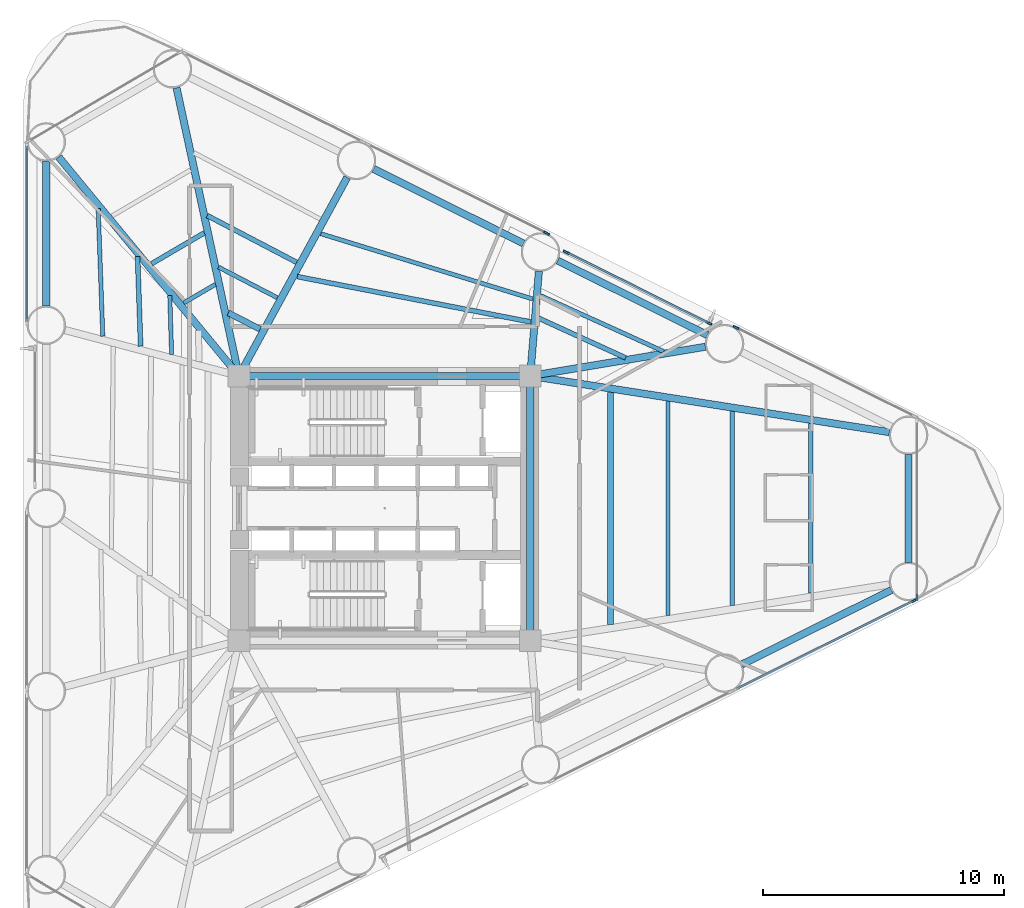
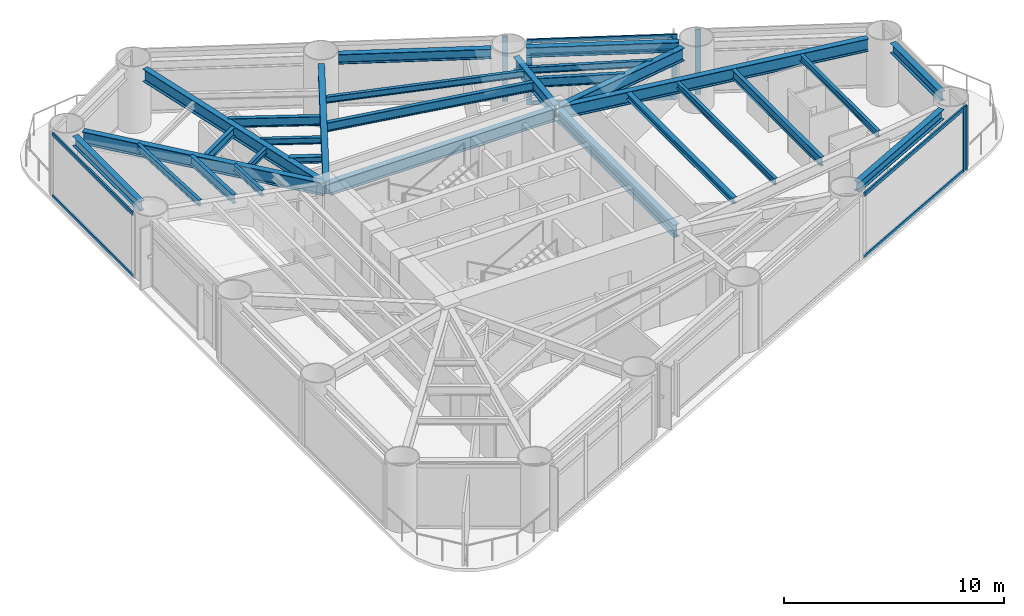
# One storey, part 3 of 10: 29 beams, 13 members, 6 elements without a shape of their own.
"""IFC4 building model written with IfcOpenShell, lengths in metres."""

from ifc_helpers import new_model, si_unit, direction, frame, origin, origin_2d, place, context, subcontext, project, spatial, rectangle, i_section, extrude, source, transform, mapped, material, layer, layer_set, material_profile, profile_set, type_object, element, aggregate, save


model = new_model("IFC4")

# Units and contexts
model_context = context("Model", 3, precision=1e-05, world=origin(), true_north=direction((0.0, 1.0)))
body_context = subcontext(model_context, "Body", "Model", "MODEL_VIEW")
ifc_project = project(units=[si_unit("LENGTHUNIT", "METRE"), si_unit("AREAUNIT", "SQUARE_METRE"), si_unit("VOLUMEUNIT", "CUBIC_METRE"), si_unit("PLANEANGLEUNIT", "RADIAN"), si_unit("MASSUNIT", "GRAM", prefix="KILO")], contexts=[model_context])

# Site, building, storey
site_placement = place(None, origin())
site = spatial("IfcSite", under=ifc_project, at=site_placement, CompositionType="ELEMENT")
building_placement = place(site_placement, origin())
building = spatial("IfcBuilding", under=site, at=building_placement, Name="Yunling Apex Tower", CompositionType="ELEMENT")
storey_placement = place(building_placement, frame((0.0, 0.0, 31.199951171875)))
storey = spatial("IfcBuildingStorey", under=building, at=storey_placement, Name="L09", CompositionType="ELEMENT", Elevation=31.199951171875)

# Beams
ifc_material_1 = material(Name="Steel Q355B", Category="steel")
ifc_material_profile_1 = material_profile(ifc_material_1, i_section(OverallWidth=0.300048828125, OverallDepth=0.699951171875, WebThickness=0.012939453125, FlangeThickness=0.02392578125, FilletRadius=0.02587890625, at=origin_2d()))
ifc_profile_set_1 = profile_set([ifc_material_profile_1], Name="Steel Q355B")
beam_type_1 = type_object("IfcBeamType", Name="BG-PRI-3", PredefinedType="USERDEFINED", material=ifc_profile_set_1)
shared_shape_1 = source(origin(), body_context, "Body", "SweptSolid", [
    extrude(i_section(OverallWidth=0.300048828125, OverallDepth=0.699951171875, WebThickness=0.012939453125, FlangeThickness=0.02392578125, FilletRadius=0.02587890625, at=origin_2d()), origin(), (0.0, 0.0, 1.0), 11.7998046875),
])
beam_1_placement = place(storey_placement, frame((5.89990234375, 5.5, 3.1650390625), z_axis=(-1.0, 0.0, 0.0), x_axis=(0.0, -1.0, 0.0)))
element("IfcBeam", 1, at=beam_1_placement, inside=storey, type_object=beam_type_1, Name="L09 Core Ring Tie Beam 3", ObjectType="GIRDER", PredefinedType="USERDEFINED", context=body_context, shape_type="MappedRepresentation", body=[
    mapped(shared_shape_1, transform((0.0, 0.0, 0.0), scale=1.0)),
])
shared_shape_2 = source(origin(), body_context, "Body", "SweptSolid", [
    extrude(i_section(OverallWidth=0.300048828125, OverallDepth=0.699951171875, WebThickness=0.012939453125, FlangeThickness=0.02392578125, FilletRadius=0.02587890625, at=origin_2d()), origin(), (0.0, 0.0, 1.0), 10.7001953125),
])
beam_2_placement = place(storey_placement, frame((6.050048828125, -5.35009765625, 3.1650390625), z_axis=(0.0, 1.0, 0.0), x_axis=(-1.0, 0.0, 0.0)))
element("IfcBeam", 2, at=beam_2_placement, inside=storey, type_object=beam_type_1, Name="L09 Core Ring Tie Beam 2", ObjectType="GIRDER", PredefinedType="USERDEFINED", context=body_context, shape_type="MappedRepresentation", body=[
    mapped(shared_shape_2, transform((0.0, 0.0, 0.0), scale=1.0)),
])
ifc_material_profile_2 = material_profile(ifc_material_1, i_section(OverallWidth=0.300048828125, OverallDepth=0.5400390625, WebThickness=0.011962890625, FlangeThickness=0.02001953125, FilletRadius=0.02392578125, at=origin_2d()))
ifc_profile_set_2 = profile_set([ifc_material_profile_2], Name="Steel Q355B")
beam_type_2 = type_object("IfcBeamType", Name="BP-SPN-1", PredefinedType="SPANDREL", material=ifc_profile_set_2)
shared_shape_3 = source(origin(), body_context, "Body", "SweptSolid", [
    extrude(i_section(OverallWidth=0.300048828125, OverallDepth=0.5400390625, WebThickness=0.011962890625, FlangeThickness=0.02001953125, FilletRadius=0.02392578125, at=origin_2d()), origin(), (0.0, 0.0, 1.0), 6.950927734375),
])
for number, where, z_axis, x_axis, name in (
    (3, (14.83251953125, -6.48974609375, 3.2451171875), (0.895247556401, 0.445569088646, 0.0), (-0.445569088646, 0.895247556401, 0.0), "L09 Perimeter Spandrel Beam 4"),
    (4, (5.7666015625, 11.002197265625, 3.2451171875), (-0.895247556401, 0.445569088646, 0.0), (-0.445569088646, -0.895247556401, 0.0), "L09 Perimeter Spandrel Beam 8"),
):
    element("IfcBeam", number, at=place(storey_placement, frame(where, z_axis=z_axis, x_axis=x_axis)), inside=storey, type_object=beam_type_2, Name=name, PredefinedType="SPANDREL", context=body_context, shape_type="MappedRepresentation", body=[
        mapped(shared_shape_3, transform((0.0, 0.0, 0.0), scale=1.0)),
    ])
shared_shape_4 = source(origin(), body_context, "Body", "SweptSolid", [
    extrude(i_section(OverallWidth=0.300048828125, OverallDepth=0.5400390625, WebThickness=0.011962890625, FlangeThickness=0.02001953125, FilletRadius=0.02392578125, at=origin_2d()), origin(), (0.0, 0.0, 1.0), 6.95068359375),
])
beam_3_placement = place(storey_placement, frame((13.410888671875, 7.197509765625, 3.2451171875), z_axis=(-0.895254593944, 0.445554948375, 0.0), x_axis=(-0.445554948375, -0.895254593944, 0.0)))
element("IfcBeam", 5, at=beam_3_placement, inside=storey, type_object=beam_type_2, Name="L09 Perimeter Spandrel Beam 7", PredefinedType="SPANDREL", context=body_context, shape_type="MappedRepresentation", body=[
    mapped(shared_shape_4, transform((0.0, 0.0, 0.0), scale=1.0)),
])
shared_shape_5 = source(origin(), body_context, "Body", "SweptSolid", [
    extrude(i_section(OverallWidth=0.300048828125, OverallDepth=0.5400390625, WebThickness=0.011962890625, FlangeThickness=0.02001953125, FilletRadius=0.02392578125, at=origin_2d()), origin(), (0.0, 0.0, 1.0), 4.48974609375),
])
beam_4_placement = place(storey_placement, frame((21.76611328125, -2.244873046875, 3.2451171875), z_axis=(0.0, 1.0, 0.0), x_axis=(-1.0, 0.0, 0.0)))
element("IfcBeam", 6, at=beam_4_placement, inside=storey, type_object=beam_type_2, Name="L09 Perimeter Spandrel Beam 5", PredefinedType="SPANDREL", context=body_context, shape_type="MappedRepresentation", body=[
    mapped(shared_shape_5, transform((0.0, 0.0, 0.0), scale=1.0)),
])
shared_shape_6 = source(origin(), body_context, "Body", "SweptSolid", [
    extrude(i_section(OverallWidth=0.300048828125, OverallDepth=0.5400390625, WebThickness=0.011962890625, FlangeThickness=0.02001953125, FilletRadius=0.02392578125, at=origin_2d()), origin(), (0.0, 0.0, 1.0), 6.021240234375),
])
beam_5_placement = place(storey_placement, frame((-14.052001953125, 14.4248046875, 3.2451171875), z_axis=(0.0, -1.0, 0.0), x_axis=(1.0, 0.0, 0.0)))
element("IfcBeam", 7, at=beam_5_placement, inside=storey, type_object=beam_type_2, Name="L09 Perimeter Spandrel Beam 11", PredefinedType="SPANDREL", context=body_context, shape_type="MappedRepresentation", body=[
    mapped(shared_shape_6, transform((0.0, 0.0, 0.0), scale=1.0)),
])
shared_shape_7 = source(origin(), body_context, "Body", "SweptSolid", [
    extrude(i_section(OverallWidth=0.300048828125, OverallDepth=0.699951171875, WebThickness=0.012939453125, FlangeThickness=0.02392578125, FilletRadius=0.02587890625, at=origin_2d()), origin(), (0.0, 0.0, 1.0), 12.165283203125),
])
beam_6_placement = place(storey_placement, frame((-8.640625, 17.468017578125, 3.1650390625), z_axis=(0.2115638914, -0.977364169517, 0.0), x_axis=(0.977364169517, 0.2115638914, 0.0)))
element("IfcBeam", 8, at=beam_6_placement, inside=storey, type_object=beam_type_1, Name="L09 Radial Primary Girder R10", ObjectType="GIRDER", PredefinedType="USERDEFINED", context=body_context, shape_type="MappedRepresentation", body=[
    mapped(shared_shape_7, transform((0.0, 0.0, 0.0), scale=1.0)),
])
shared_shape_8 = source(origin(), body_context, "Body", "SweptSolid", [
    extrude(i_section(OverallWidth=0.300048828125, OverallDepth=0.699951171875, WebThickness=0.012939453125, FlangeThickness=0.02392578125, FilletRadius=0.02587890625, at=origin_2d()), origin(), (0.0, 0.0, 1.0), 9.31005859375),
])
beam_7_placement = place(storey_placement, frame((-1.553955078125, 13.74365234375, 3.1650390625), z_axis=(-0.478817221141, -0.877914613581, 0.0), x_axis=(0.877914613581, -0.478817221141, 0.0)))
element("IfcBeam", 9, at=beam_7_placement, inside=storey, type_object=beam_type_1, Name="L09 Radial Primary Girder R09", ObjectType="GIRDER", PredefinedType="USERDEFINED", context=body_context, shape_type="MappedRepresentation", body=[
    mapped(shared_shape_8, transform((0.0, 0.0, 0.0), scale=1.0)),
])
shared_shape_9 = source(origin(), body_context, "Body", "SweptSolid", [
    extrude(i_section(OverallWidth=0.300048828125, OverallDepth=0.699951171875, WebThickness=0.012939453125, FlangeThickness=0.02392578125, FilletRadius=0.02587890625, at=origin_2d()), origin(), (0.0, 0.0, 1.0), 4.278076171875),
])
beam_8_placement = place(storey_placement, frame((6.41064453125, 9.843017578125, 3.1650390625), z_axis=(-0.082747937789, -0.996570508691, 0.0), x_axis=(0.996570508691, -0.082747937789, 0.0)))
element("IfcBeam", 10, at=beam_8_placement, inside=storey, type_object=beam_type_1, Name="L09 Radial Primary Girder R08", ObjectType="GIRDER", PredefinedType="USERDEFINED", context=body_context, shape_type="MappedRepresentation", body=[
    mapped(shared_shape_9, transform((0.0, 0.0, 0.0), scale=1.0)),
])
shared_shape_10 = source(origin(), body_context, "Body", "SweptSolid", [
    extrude(i_section(OverallWidth=0.300048828125, OverallDepth=0.699951171875, WebThickness=0.012939453125, FlangeThickness=0.02392578125, FilletRadius=0.02587890625, at=origin_2d()), origin(), (0.0, 0.0, 1.0), 7.294921875),
])
beam_9_placement = place(storey_placement, frame((13.32470703125, 6.7109375, 3.1650390625), z_axis=(-0.98642827455, -0.164192750049, 0.0), x_axis=(0.164192750049, -0.98642827455, 0.0)))
element("IfcBeam", 11, at=beam_9_placement, inside=storey, type_object=beam_type_1, Name="L09 Radial Primary Girder R07", ObjectType="GIRDER", PredefinedType="USERDEFINED", context=body_context, shape_type="MappedRepresentation", body=[
    mapped(shared_shape_10, transform((0.0, 0.0, 0.0), scale=1.0)),
])
shared_shape_11 = source(origin(), body_context, "Body", "SweptSolid", [
    extrude(i_section(OverallWidth=0.300048828125, OverallDepth=0.699951171875, WebThickness=0.012939453125, FlangeThickness=0.02392578125, FilletRadius=0.02587890625, at=origin_2d()), origin(), (0.0, 0.0, 1.0), 15.02001953125),
])
beam_10_placement = place(storey_placement, frame((20.968017578125, 3.163818359375, 3.1650390625), z_axis=(-0.987959991473, 0.154709583568, 0.0), x_axis=(-0.154709583568, -0.987959991473, 0.0)))
element("IfcBeam", 12, at=beam_10_placement, inside=storey, type_object=beam_type_1, Name="L09 Radial Primary Girder R06", ObjectType="GIRDER", PredefinedType="USERDEFINED", context=body_context, shape_type="MappedRepresentation", body=[
    mapped(shared_shape_11, transform((0.0, 0.0, 0.0), scale=1.0)),
])
shared_shape_12 = source(origin(), body_context, "Body", "SweptSolid", [
    extrude(i_section(OverallWidth=0.300048828125, OverallDepth=0.699951171875, WebThickness=0.012939453125, FlangeThickness=0.02392578125, FilletRadius=0.02587890625, at=origin_2d()), origin(), (0.0, 0.0, 1.0), 11.701171875),
])
beam_11_placement = place(storey_placement, frame((-13.538330078125, 14.59521484375, 3.1650390625), z_axis=(0.635615100524, -0.772006116547, 0.0), x_axis=(0.772006116547, 0.635615100524, 0.0)))
element("IfcBeam", 13, at=beam_11_placement, inside=storey, type_object=beam_type_1, Name="L09 Radial Primary Girder R11", ObjectType="GIRDER", PredefinedType="USERDEFINED", context=body_context, shape_type="MappedRepresentation", body=[
    mapped(shared_shape_12, transform((0.0, 0.0, 0.0), scale=1.0)),
])
ifc_material_profile_3 = material_profile(ifc_material_1, i_section(OverallWidth=0.199951171875, OverallDepth=0.5, WebThickness=0.010009765625, FlangeThickness=0.01611328125, FilletRadius=0.02001953125, at=origin_2d()))
ifc_profile_set_3 = profile_set([ifc_material_profile_3], Name="Steel Q355B")
beam_type_3 = type_object("IfcBeamType", Name="BS-SEC-2", PredefinedType="BEAM", material=ifc_profile_set_3)
shared_shape_13 = source(origin(), body_context, "Body", "SweptSolid", [
    extrude(i_section(OverallWidth=0.199951171875, OverallDepth=0.5, WebThickness=0.010009765625, FlangeThickness=0.01611328125, FilletRadius=0.02001953125, at=origin_2d()), origin(), (0.0, 0.0, 1.0), 4.186279296875),
])
beam_12_placement = place(storey_placement, frame((-3.6572265625, 10.221435546875, 3.26513671875), z_axis=(-0.886028927656, 0.463629959512, 0.0), x_axis=(-0.463629959512, -0.886028927656, 0.0)))
element("IfcBeam", 14, at=beam_12_placement, inside=storey, type_object=beam_type_3, Name="L09 Composite Floor Beam BS-9", PredefinedType="BEAM", context=body_context, shape_type="MappedRepresentation", body=[
    mapped(shared_shape_13, transform((0.0, 0.0, 0.0), scale=1.0)),
])
ifc_material_profile_4 = material_profile(ifc_material_1, i_section(OverallWidth=0.175048828125, OverallDepth=0.35009765625, WebThickness=0.007080078125, FlangeThickness=0.010986328125, FilletRadius=0.013916015625, at=origin_2d()))
ifc_profile_set_4 = profile_set([ifc_material_profile_4], Name="Steel Q355B")
beam_type_4 = type_object("IfcBeamType", Name="BJ-JST-1", PredefinedType="JOIST", material=ifc_profile_set_4)
shared_shape_14 = source(origin(), body_context, "Body", "SweptSolid", [
    extrude(i_section(OverallWidth=0.175048828125, OverallDepth=0.35009765625, WebThickness=0.007080078125, FlangeThickness=0.010986328125, FilletRadius=0.013916015625, at=origin_2d()), origin(), (0.0, 0.0, 1.0), 2.7548828125),
])
beam_13_placement = place(storey_placement, frame((-4.459716796875, 8.75, 3.340087890625), z_axis=(-0.886932237595, 0.461899562584, 0.0), x_axis=(-0.461899562584, -0.886932237595, 0.0)))
element("IfcBeam", 15, at=beam_13_placement, inside=storey, type_object=beam_type_4, Name="L09 Composite Floor Joist BJ3-9", PredefinedType="JOIST", context=body_context, shape_type="MappedRepresentation", body=[
    mapped(shared_shape_14, transform((0.0, 0.0, 0.0), scale=1.0)),
])
ifc_material_profile_5 = material_profile(ifc_material_1, i_section(OverallWidth=0.25, OverallDepth=0.340087890625, WebThickness=0.009033203125, FlangeThickness=0.013916015625, FilletRadius=0.01806640625, at=origin_2d()))
ifc_profile_set_5 = profile_set([ifc_material_profile_5], Name="Steel Q355B")
beam_type_5 = type_object("IfcBeamType", Name="BJ-JST-2", PredefinedType="JOIST", material=ifc_profile_set_5)
shared_shape_15 = source(origin(), body_context, "Body", "SweptSolid", [
    extrude(i_section(OverallWidth=0.25, OverallDepth=0.340087890625, WebThickness=0.009033203125, FlangeThickness=0.013916015625, FilletRadius=0.01806640625, at=origin_2d()), origin(), (0.0, 0.0, 1.0), 1.482421875),
])
beam_14_placement = place(storey_placement, frame((-5.173095703125, 7.441650390625, 3.344970703125), z_axis=(-0.888960334438, 0.457984196012, 0.0), x_axis=(-0.457984196012, -0.888960334438, 0.0)))
element("IfcBeam", 16, at=beam_14_placement, inside=storey, type_object=beam_type_5, Name="L09 Composite Floor Joist BJ2-9", PredefinedType="JOIST", context=body_context, shape_type="MappedRepresentation", body=[
    mapped(shared_shape_15, transform((0.0, 0.0, 0.0), scale=1.0)),
])
shared_shape_16 = source(origin(), body_context, "Body", "SweptSolid", [
    extrude(i_section(OverallWidth=0.199951171875, OverallDepth=0.5, WebThickness=0.010009765625, FlangeThickness=0.01611328125, FilletRadius=0.02001953125, at=origin_2d()), origin(), (0.0, 0.0, 1.0), 9.883544921875),
])
beam_15_placement = place(storey_placement, frame((6.076416015625, 7.741943359375, 3.26513671875), z_axis=(-0.981653423938, 0.190673950161, 0.0), x_axis=(-0.190673950161, -0.981653423938, 0.0)))
element("IfcBeam", 17, at=beam_15_placement, inside=storey, type_object=beam_type_3, Name="L09 Composite Floor Beam BS-8", PredefinedType="BEAM", context=body_context, shape_type="MappedRepresentation", body=[
    mapped(shared_shape_16, transform((0.0, 0.0, 0.0), scale=1.0)),
])
shared_shape_17 = source(origin(), body_context, "Body", "SweptSolid", [
    extrude(i_section(OverallWidth=0.175048828125, OverallDepth=0.35009765625, WebThickness=0.007080078125, FlangeThickness=0.010986328125, FilletRadius=0.013916015625, at=origin_2d()), origin(), (0.0, 0.0, 1.0), 9.2158203125),
])
beam_16_placement = place(storey_placement, frame((6.15869140625, 8.6962890625, 3.340087890625), z_axis=(-0.955731454849, 0.294240354492, 0.0), x_axis=(-0.294240354492, -0.955731454849, 0.0)))
element("IfcBeam", 18, at=beam_16_placement, inside=storey, type_object=beam_type_4, Name="L09 Composite Floor Joist BJ1-8", PredefinedType="JOIST", context=body_context, shape_type="MappedRepresentation", body=[
    mapped(shared_shape_17, transform((0.0, 0.0, 0.0), scale=1.0)),
])
shared_shape_18 = source(origin(), body_context, "Body", "SweptSolid", [
    extrude(i_section(OverallWidth=0.199951171875, OverallDepth=0.5, WebThickness=0.010009765625, FlangeThickness=0.01611328125, FilletRadius=0.02001953125, at=origin_2d()), origin(), (0.0, 0.0, 1.0), 3.971923828125),
])
beam_17_placement = place(storey_placement, frame((10.01318359375, 6.25048828125, 3.26513671875), z_axis=(-0.909609234888, 0.415464847858, 0.0), x_axis=(-0.415464847858, -0.909609234888, 0.0)))
element("IfcBeam", 19, at=beam_17_placement, inside=storey, type_object=beam_type_3, Name="L09 Composite Floor Beam BS-7", PredefinedType="BEAM", context=body_context, shape_type="MappedRepresentation", body=[
    mapped(shared_shape_18, transform((0.0, 0.0, 0.0), scale=1.0)),
])
shared_shape_19 = source(origin(), body_context, "Body", "SweptSolid", [
    extrude(i_section(OverallWidth=0.175048828125, OverallDepth=0.35009765625, WebThickness=0.007080078125, FlangeThickness=0.010986328125, FilletRadius=0.013916015625, at=origin_2d()), origin(), (0.0, 0.0, 1.0), 5.62109375),
])
beam_18_placement = place(storey_placement, frame((11.595947265625, 6.513671875, 3.340087890625), z_axis=(-0.910411095702, 0.413704770124, 0.0), x_axis=(-0.413704770124, -0.910411095702, 0.0)))
element("IfcBeam", 20, at=beam_18_placement, inside=storey, type_object=beam_type_4, Name="L09 Composite Floor Joist BJ1-7", PredefinedType="JOIST", context=body_context, shape_type="MappedRepresentation", body=[
    mapped(shared_shape_19, transform((0.0, 0.0, 0.0), scale=1.0)),
])
shared_shape_20 = source(origin(), body_context, "Body", "SweptSolid", [
    extrude(i_section(OverallWidth=0.199951171875, OverallDepth=0.5, WebThickness=0.010009765625, FlangeThickness=0.01611328125, FilletRadius=0.02001953125, at=origin_2d()), origin(), (0.0, 0.0, 1.0), 8.052734375),
])
beam_19_placement = place(storey_placement, frame((14.438720703125, -4.0263671875, 3.26513671875), z_axis=(0.0, 1.0, 0.0), x_axis=(-1.0, 0.0, 0.0)))
element("IfcBeam", 21, at=beam_19_placement, inside=storey, type_object=beam_type_3, Name="L09 Composite Floor Beam BS-5", PredefinedType="BEAM", context=body_context, shape_type="MappedRepresentation", body=[
    mapped(shared_shape_20, transform((0.0, 0.0, 0.0), scale=1.0)),
])
shared_shape_21 = source(origin(), body_context, "Body", "SweptSolid", [
    extrude(i_section(OverallWidth=0.175048828125, OverallDepth=0.35009765625, WebThickness=0.007080078125, FlangeThickness=0.010986328125, FilletRadius=0.013916015625, at=origin_2d()), origin(), (0.0, 0.0, 1.0), 7.02978515625),
])
beam_20_placement = place(storey_placement, frame((17.703369140625, -3.514892578125, 3.340087890625), z_axis=(0.0, 1.0, 0.0), x_axis=(-1.0, 0.0, 0.0)))
element("IfcBeam", 22, at=beam_20_placement, inside=storey, type_object=beam_type_4, Name="L09 Composite Floor Joist BJ1-5", PredefinedType="JOIST", context=body_context, shape_type="MappedRepresentation", body=[
    mapped(shared_shape_21, transform((0.0, 0.0, 0.0), scale=1.0)),
])
shared_shape_22 = source(origin(), body_context, "Body", "SweptSolid", [
    extrude(i_section(OverallWidth=0.175048828125, OverallDepth=0.35009765625, WebThickness=0.007080078125, FlangeThickness=0.010986328125, FilletRadius=0.013916015625, at=origin_2d()), origin(), (0.0, 0.0, 1.0), 8.88916015625),
])
beam_21_placement = place(storey_placement, frame((11.767822265625, -4.444580078125, 3.340087890625), z_axis=(0.0, 1.0, 0.0), x_axis=(-1.0, 0.0, 0.0)))
element("IfcBeam", 23, at=beam_21_placement, inside=storey, type_object=beam_type_4, Name="L09 Composite Floor Joist BJ3-5", PredefinedType="JOIST", context=body_context, shape_type="MappedRepresentation", body=[
    mapped(shared_shape_22, transform((0.0, 0.0, 0.0), scale=1.0)),
])
shared_shape_23 = source(origin(), body_context, "Body", "SweptSolid", [
    extrude(i_section(OverallWidth=0.25, OverallDepth=0.340087890625, WebThickness=0.009033203125, FlangeThickness=0.013916015625, FilletRadius=0.01806640625, at=origin_2d()), origin(), (0.0, 0.0, 1.0), 9.6328125),
])
beam_22_placement = place(storey_placement, frame((9.3935546875, -4.81640625, 3.344970703125), z_axis=(0.0, 1.0, 0.0), x_axis=(-1.0, 0.0, 0.0)))
element("IfcBeam", 24, at=beam_22_placement, inside=storey, type_object=beam_type_5, Name="L09 Composite Floor Joist BJ2-5", PredefinedType="JOIST", context=body_context, shape_type="MappedRepresentation", body=[
    mapped(shared_shape_23, transform((0.0, 0.0, 0.0), scale=1.0)),
])
shared_shape_24 = source(origin(), body_context, "Body", "SweptSolid", [
    extrude(i_section(OverallWidth=0.199951171875, OverallDepth=0.5, WebThickness=0.010009765625, FlangeThickness=0.01611328125, FilletRadius=0.02001953125, at=origin_2d()), origin(), (0.0, 0.0, 1.0), 2.5380859375),
])
beam_23_placement = place(storey_placement, frame((-7.49169921875, 11.4423828125, 3.26513671875), z_axis=(-0.862768873171, -0.505598527972, 0.0), x_axis=(0.505598527972, -0.862768873171, 0.0)))
element("IfcBeam", 25, at=beam_23_placement, inside=storey, type_object=beam_type_3, Name="L09 Composite Floor Beam BS-10", PredefinedType="BEAM", context=body_context, shape_type="MappedRepresentation", body=[
    mapped(shared_shape_24, transform((0.0, 0.0, 0.0), scale=1.0)),
])
shared_shape_25 = source(origin(), body_context, "Body", "SweptSolid", [
    extrude(i_section(OverallWidth=0.175048828125, OverallDepth=0.35009765625, WebThickness=0.007080078125, FlangeThickness=0.010986328125, FilletRadius=0.013916015625, at=origin_2d()), origin(), (0.0, 0.0, 1.0), 1.522705078125),
])
beam_24_placement = place(storey_placement, frame((-7.028564453125, 9.30224609375, 3.340087890625), z_axis=(-0.863086068208, -0.505056866962, 0.0), x_axis=(0.505056866962, -0.863086068208, 0.0)))
element("IfcBeam", 26, at=beam_24_placement, inside=storey, type_object=beam_type_4, Name="L09 Composite Floor Joist BJ3-10", PredefinedType="JOIST", context=body_context, shape_type="MappedRepresentation", body=[
    mapped(shared_shape_25, transform((0.0, 0.0, 0.0), scale=1.0)),
])
shared_shape_26 = source(origin(), body_context, "Body", "SweptSolid", [
    extrude(i_section(OverallWidth=0.199951171875, OverallDepth=0.5, WebThickness=0.010009765625, FlangeThickness=0.01611328125, FilletRadius=0.02001953125, at=origin_2d()), origin(), (0.0, 0.0, 1.0), 3.727783203125),
])
beam_25_placement = place(storey_placement, frame((-10.260498046875, 10.46044921875, 3.26513671875), z_axis=(0.034187081609, -0.999415450877, 0.0), x_axis=(0.999415450877, 0.034187081609, 0.0)))
element("IfcBeam", 27, at=beam_25_placement, inside=storey, type_object=beam_type_3, Name="L09 Composite Floor Beam BS-11", PredefinedType="BEAM", context=body_context, shape_type="MappedRepresentation", body=[
    mapped(shared_shape_26, transform((0.0, 0.0, 0.0), scale=1.0)),
])
shared_shape_27 = source(origin(), body_context, "Body", "SweptSolid", [
    extrude(i_section(OverallWidth=0.175048828125, OverallDepth=0.35009765625, WebThickness=0.007080078125, FlangeThickness=0.010986328125, FilletRadius=0.013916015625, at=origin_2d()), origin(), (0.0, 0.0, 1.0), 5.30224609375),
])
beam_26_placement = place(storey_placement, frame((-11.896484375, 12.447998046875, 3.340087890625), z_axis=(0.036144814399, -0.999346562706, 0.0), x_axis=(0.999346562706, 0.036144814399, 0.0)))
element("IfcBeam", 28, at=beam_26_placement, inside=storey, type_object=beam_type_4, Name="L09 Composite Floor Joist BJ1-11", PredefinedType="JOIST", context=body_context, shape_type="MappedRepresentation", body=[
    mapped(shared_shape_27, transform((0.0, 0.0, 0.0), scale=1.0)),
])
shared_shape_28 = source(origin(), body_context, "Body", "SweptSolid", [
    extrude(i_section(OverallWidth=0.175048828125, OverallDepth=0.35009765625, WebThickness=0.007080078125, FlangeThickness=0.010986328125, FilletRadius=0.013916015625, at=origin_2d()), origin(), (0.0, 0.0, 1.0), 2.439697265625),
])
beam_27_placement = place(storey_placement, frame((-8.922119140625, 8.83447265625, 3.340087890625), z_axis=(0.03092233012, -0.999521790408, 0.0), x_axis=(0.999521790408, 0.03092233012, 0.0)))
element("IfcBeam", 29, at=beam_27_placement, inside=storey, type_object=beam_type_4, Name="L09 Composite Floor Joist BJ3-11", PredefinedType="JOIST", context=body_context, shape_type="MappedRepresentation", body=[
    mapped(shared_shape_28, transform((0.0, 0.0, 0.0), scale=1.0)),
])

# Curtain wall, member
ifc_material_2 = material(Name="Bronze anodised aluminium", Category="aluminium")
ifc_layer = layer(ifc_material_2, 0.260009765625)
ifc_layer_set = layer_set([ifc_layer], Name="Bronze anodised aluminium")
curtain_wall_type = type_object("IfcCurtainWallType", Name="CW-SYS-2", PredefinedType="NOTDEFINED", material=ifc_layer_set)
curtain_wall_1_placement = place(storey_placement, origin())
curtain_wall_1 = element("IfcCurtainWall", 30, at=curtain_wall_1_placement, inside=storey, type_object=curtain_wall_type, Name="CW-L09-F1-B4", PredefinedType="NOTDEFINED")
ifc_material_profile_6 = material_profile(ifc_material_2, rectangle(XDim=0.0849609375, YDim=0.260009765625, at=origin_2d()))
ifc_profile_set_6 = profile_set([ifc_material_profile_6], Name="Bronze anodised aluminium")
member_type_1 = type_object("IfcMemberType", Name="CW-MUL-2", PredefinedType="MULLION", material=ifc_profile_set_6)
shared_shape_29 = source(origin(), body_context, "Body", "SweptSolid", [
    extrude(rectangle(XDim=0.0849609375, YDim=0.260009765625, at=origin_2d()), origin(), (0.0, 0.0, 1.0), 3.614990234375),
])
member_1_placement = place(storey_placement, frame((22.017333984375, -3.818603515625, -0.050048828125), z_axis=(0.0, 0.0, 1.0), x_axis=(-0.445580190214, 0.895242031011, 0.0)))
member_1 = element("IfcMember", 31, at=member_1_placement, type_object=member_type_1, Name="CW-SYS-2 mullion 2", PredefinedType="MULLION", context=body_context, shape_type="MappedRepresentation", body=[
    mapped(shared_shape_29, transform((0.0, 0.0, 0.0), scale=1.0)),
])

curtain_wall_2_placement = place(storey_placement, origin())
curtain_wall_2 = element("IfcCurtainWall", 32, at=curtain_wall_2_placement, inside=storey, type_object=curtain_wall_type, Name="CW-L09-CRN1", PredefinedType="NOTDEFINED")
member_2_placement = place(storey_placement, frame((22.1181640625, -3.70361328125, -0.050048828125), z_axis=(0.0, 0.0, 1.0), x_axis=(-1.0, 0.0, 0.0)))
member_2 = element("IfcMember", 33, at=member_2_placement, type_object=member_type_1, Name="CW-SYS-2 mullion 1", PredefinedType="MULLION", context=body_context, shape_type="MappedRepresentation", body=[
    mapped(shared_shape_29, transform((0.0, 0.0, 0.0), scale=1.0)),
])
aggregate(curtain_wall_2, [member_2])

curtain_wall_3_placement = place(storey_placement, origin())
curtain_wall_3 = element("IfcCurtainWall", 34, at=curtain_wall_3_placement, inside=storey, type_object=curtain_wall_type, Name="CW-L09-F2-B1", PredefinedType="NOTDEFINED")
member_3_placement = place(storey_placement, frame((14.59228515625, 7.51416015625, -0.050048828125), z_axis=(0.0, 0.0, 1.0), x_axis=(-0.445580190214, -0.895242031011, 0.0)))
member_3 = element("IfcMember", 35, at=member_3_placement, type_object=member_type_1, Name="CW-SYS-2 mullion 2", PredefinedType="MULLION", context=body_context, shape_type="MappedRepresentation", body=[
    mapped(shared_shape_29, transform((0.0, 0.0, 0.0), scale=1.0)),
])
aggregate(curtain_wall_3, [member_3])

# Curtain wall, members
curtain_wall_4_placement = place(storey_placement, origin())
curtain_wall_4 = element("IfcCurtainWall", 36, at=curtain_wall_4_placement, inside=storey, type_object=curtain_wall_type, Name="CW-L09-F2-B2", PredefinedType="NOTDEFINED")
member_4_placement = place(storey_placement, frame((13.469482421875, 7.693115234375, -0.050048828125), z_axis=(0.0, 0.0, 1.0), x_axis=(-0.445576771947, -0.895243732344, 0.0)))
member_4 = element("IfcMember", 37, at=member_4_placement, type_object=member_type_1, Name="CW-SYS-2 mullion 1", PredefinedType="MULLION", context=body_context, shape_type="MappedRepresentation", body=[
    mapped(shared_shape_29, transform((0.0, 0.0, 0.0), scale=1.0)),
])
member_5_placement = place(storey_placement, frame((7.54833984375, 10.640380859375, -0.050048828125), z_axis=(0.0, 0.0, 1.0), x_axis=(-0.445576771947, -0.895243732344, 0.0)))
member_5 = element("IfcMember", 38, at=member_5_placement, type_object=member_type_1, Name="CW-SYS-2 mullion 2", PredefinedType="MULLION", context=body_context, shape_type="MappedRepresentation", body=[
    mapped(shared_shape_29, transform((0.0, 0.0, 0.0), scale=1.0)),
])

# Curtain wall, member
curtain_wall_5_placement = place(storey_placement, origin())
curtain_wall_5 = element("IfcCurtainWall", 39, at=curtain_wall_5_placement, inside=storey, type_object=curtain_wall_type, Name="CW-L09-F2-B3", PredefinedType="NOTDEFINED")
member_6_placement = place(storey_placement, frame((6.728515625, 11.427978515625, -0.050048828125), z_axis=(0.0, 0.0, 1.0), x_axis=(-0.445580190214, -0.895242031011, 0.0)))
member_6 = element("IfcMember", 40, at=member_6_placement, type_object=member_type_1, Name="CW-SYS-2 mullion 1", PredefinedType="MULLION", context=body_context, shape_type="MappedRepresentation", body=[
    mapped(shared_shape_29, transform((0.0, 0.0, 0.0), scale=1.0)),
])
aggregate(curtain_wall_5, [member_6])

# Member
ifc_material_profile_7 = material_profile(ifc_material_2, rectangle(XDim=0.0849609375, YDim=0.199951171875, at=origin_2d()))
ifc_profile_set_7 = profile_set([ifc_material_profile_7], Name="Bronze anodised aluminium")
member_type_2 = type_object("IfcMemberType", Name="CW-TRN-2", PredefinedType="USERDEFINED", material=ifc_profile_set_7)
shared_shape_30 = source(origin(), body_context, "Body", "SweptSolid", [
    extrude(rectangle(XDim=0.0849609375, YDim=0.199951171875, at=origin_2d()), origin(), (0.0, 0.0, 1.0), 8.21728515625),
])
member_7_placement = place(storey_placement, frame((14.626708984375, -7.4970703125, 0.04248046875), z_axis=(0.895245705371, 0.445572807761, 0.0), x_axis=(-0.445572807761, 0.895245705371, 0.0)))
member_7 = element("IfcMember", 41, at=member_7_placement, type_object=member_type_2, Name="CW-SYS-2 transom 1.1", ObjectType="TRANSOM", PredefinedType="USERDEFINED", context=body_context, shape_type="MappedRepresentation", body=[
    mapped(shared_shape_30, transform((0.0, 0.0, 0.0), scale=1.0)),
])

member_8_placement = place(storey_placement, frame((14.626708984375, -7.4970703125, 3.47265625), z_axis=(0.895245705371, 0.445572807761, 0.0), x_axis=(-0.445572807761, 0.895245705371, 0.0)))
member_8 = element("IfcMember", 42, at=member_8_placement, type_object=member_type_2, Name="CW-SYS-2 transom 1.2", ObjectType="TRANSOM", PredefinedType="USERDEFINED", context=body_context, shape_type="MappedRepresentation", body=[
    mapped(shared_shape_30, transform((0.0, 0.0, 0.0), scale=1.0)),
])

aggregate(curtain_wall_1, [member_1, member_7, member_8])

# Curtain wall, members
curtain_wall_6_placement = place(storey_placement, origin())
curtain_wall_6 = element("IfcCurtainWall", 43, at=curtain_wall_6_placement, inside=storey, type_object=curtain_wall_type, Name="CW-L09-F3-B1", PredefinedType="NOTDEFINED")
shared_shape_31 = source(origin(), body_context, "Body", "SweptSolid", [
    extrude(rectangle(XDim=0.0849609375, YDim=0.199951171875, at=origin_2d()), origin(), (0.0, 0.0, 1.0), 7.287841796875),
])
member_9_placement = place(storey_placement, frame((-14.862060546875, 15.05810546875, 0.04248046875), z_axis=(0.0, -1.0, 0.0), x_axis=(1.0, 0.0, 0.0)))
member_9 = element("IfcMember", 44, at=member_9_placement, type_object=member_type_2, Name="CW-SYS-2 transom 1.1", ObjectType="TRANSOM", PredefinedType="USERDEFINED", context=body_context, shape_type="MappedRepresentation", body=[
    mapped(shared_shape_31, transform((0.0, 0.0, 0.0), scale=1.0)),
])
member_10_placement = place(storey_placement, frame((-14.862060546875, 15.05810546875, 3.47265625), z_axis=(0.0, -1.0, 0.0), x_axis=(1.0, 0.0, 0.0)))
member_10 = element("IfcMember", 45, at=member_10_placement, type_object=member_type_2, Name="CW-SYS-2 transom 1.2", ObjectType="TRANSOM", PredefinedType="USERDEFINED", context=body_context, shape_type="MappedRepresentation", body=[
    mapped(shared_shape_31, transform((0.0, 0.0, 0.0), scale=1.0)),
])
aggregate(curtain_wall_6, [member_9, member_10])

# Member
shared_shape_32 = source(origin(), body_context, "Body", "SweptSolid", [
    extrude(rectangle(XDim=0.0849609375, YDim=0.199951171875, at=origin_2d()), origin(), (0.0, 0.0, 1.0), 6.537353515625),
])
member_11_placement = place(storey_placement, frame((13.435302734375, 7.710205078125, 0.04248046875), z_axis=(-0.895232386263, 0.445599567533, 0.0), x_axis=(-0.445599567533, -0.895232386263, 0.0)))
member_11 = element("IfcMember", 46, at=member_11_placement, type_object=member_type_2, Name="CW-SYS-2 transom 1.1", ObjectType="TRANSOM", PredefinedType="USERDEFINED", context=body_context, shape_type="MappedRepresentation", body=[
    mapped(shared_shape_32, transform((0.0, 0.0, 0.0), scale=1.0)),
])

member_12_placement = place(storey_placement, frame((13.435302734375, 7.710205078125, 2.67138671875), z_axis=(-0.895232386263, 0.445599567533, 0.0), x_axis=(-0.445599567533, -0.895232386263, 0.0)))
member_12 = element("IfcMember", 47, at=member_12_placement, type_object=member_type_2, Name="CW-SYS-2 transom 1.2", ObjectType="TRANSOM", PredefinedType="USERDEFINED", context=body_context, shape_type="MappedRepresentation", body=[
    mapped(shared_shape_32, transform((0.0, 0.0, 0.0), scale=1.0)),
])

member_13_placement = place(storey_placement, frame((13.435302734375, 7.710205078125, 3.47265625), z_axis=(-0.895232386263, 0.445599567533, 0.0), x_axis=(-0.445599567533, -0.895232386263, 0.0)))
member_13 = element("IfcMember", 48, at=member_13_placement, type_object=member_type_2, Name="CW-SYS-2 transom 1.3", ObjectType="TRANSOM", PredefinedType="USERDEFINED", context=body_context, shape_type="MappedRepresentation", body=[
    mapped(shared_shape_32, transform((0.0, 0.0, 0.0), scale=1.0)),
])

aggregate(curtain_wall_4, [member_4, member_5, member_11, member_12, member_13])

save(model, "model.ifc")
